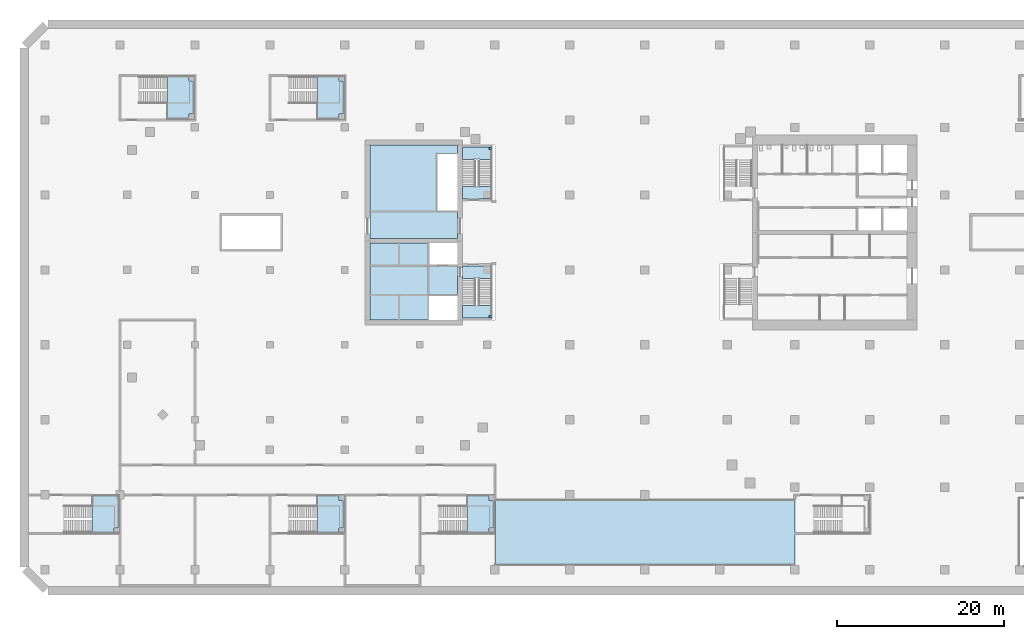
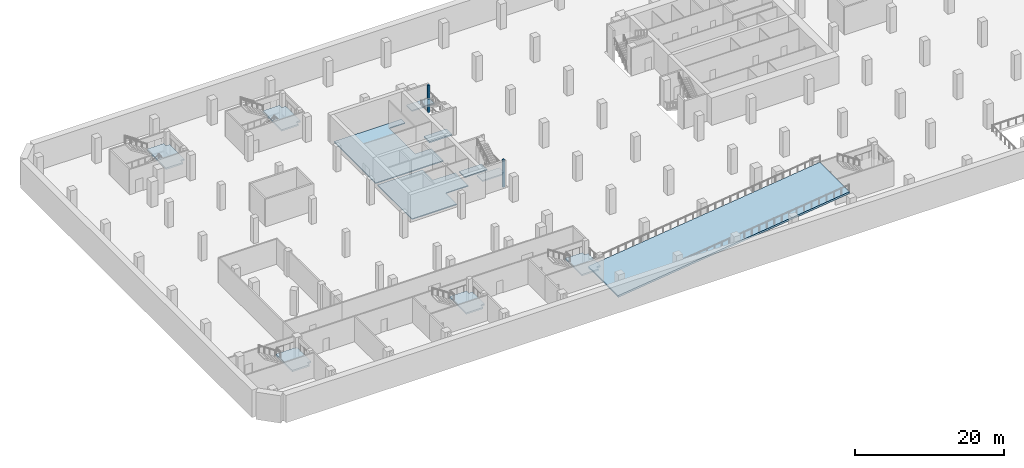
# One storey, part 2 of 16: 12 slabs, 2 members, 7 elements without a shape of their own.
"""IFC4 building model written with IfcOpenShell, lengths in metres."""

from ifc_helpers import new_model, si_unit, direction, frame, origin, origin_2d, place, context, subcontext, project, spatial, polyline, rectangle, outline, extrude, material, layer, layer_set, material_profile, profile_set, type_object, element, aggregate, save


model = new_model("IFC4")

# Units and contexts
model_context = context("Model", 3, precision=1e-05, world=origin(), true_north=direction((0.0, 1.0)))
body_context = subcontext(model_context, "Body", "Model", "MODEL_VIEW")
ifc_project = project(units=[si_unit("LENGTHUNIT", "METRE"), si_unit("AREAUNIT", "SQUARE_METRE"), si_unit("VOLUMEUNIT", "CUBIC_METRE"), si_unit("PLANEANGLEUNIT", "RADIAN"), si_unit("MASSUNIT", "GRAM", prefix="KILO")], contexts=[model_context])

# Site, building, storey
site_placement = place(None, origin())
site = spatial("IfcSite", under=ifc_project, at=site_placement, CompositionType="ELEMENT")
building_placement = place(site_placement, origin())
building = spatial("IfcBuilding", under=site, at=building_placement, Name="Cinnabar Reach Civic Tower", CompositionType="ELEMENT")
storey_placement = place(building_placement, frame((0.0, 0.0, -9.5)))
storey = spatial("IfcBuildingStorey", under=building, at=storey_placement, Name="B2", CompositionType="ELEMENT", Elevation=-9.5)

# Members
ifc_material_1 = material(Name="Concrete C40", Category="concrete")
ifc_material_profile = material_profile(ifc_material_1, rectangle(XDim=0.3, YDim=0.3, at=origin_2d()), Name="C300")
ifc_profile_set = profile_set([ifc_material_profile], Name="Concrete C40")
member_type = type_object("IfcMemberType", Name="T2 stair post 300", PredefinedType="STRUT", material=ifc_profile_set)
for number, where, z_axis, x_axis, name in (
    (1, (-27.55, 21.4, 0.0), (0.0, 0.0, 1.0), (1.0, 0.0, 0.0), "Stair post 1"),
    (2, (-27.55, 41.6, 0.0), (0.0, 0.0, 1.0), (1.0, 0.0, 0.0), "Stair post 2"),
):
    element("IfcMember", number, at=place(storey_placement, frame(where, z_axis=z_axis, x_axis=x_axis)), inside=storey, type_object=member_type, Name=name, PredefinedType="STRUT", context=body_context, shape_type="SweptSolid", body=[
        extrude(rectangle(XDim=0.3, YDim=0.3, at=origin_2d()), origin(), (0.0, 0.0, 1.0), 4.5),
    ])

# Stair, slab
ifc_material_2 = material(Name="Concrete C35", Category="concrete")
stair_type_1 = type_object("IfcStairType", Name="Podium exit stair 1500", PredefinedType="HALF_TURN_STAIR", material=ifc_material_2)
stair_1_placement = place(storey_placement, origin())
stair_1 = element("IfcStair", 3, at=stair_1_placement, inside=storey, type_object=stair_type_1, Name="Stair PS1", PredefinedType="HALF_TURN_STAIR")
ifc_material_3 = material(Name="Concrete C35/45", Category="concrete")
ifc_layer_1 = layer(ifc_material_3, 0.25)
ifc_layer_set_1 = layer_set([ifc_layer_1], Name="Podium exit stair landing 250")
slab_type_1 = type_object("IfcSlabType", Name="Podium exit stair landing 250", PredefinedType="LANDING", material=ifc_layer_set_1)
slab_1_placement = place(storey_placement, frame((0.0, 0.0, 2.0)))
slab_1 = element("IfcSlab", 4, at=slab_1_placement, type_object=slab_type_1, Name="PS1 landing 1", PredefinedType="LANDING", context=body_context, shape_type="SweptSolid", body=[
    extrude(outline(polyline([(-75.33, -4.55), (-75.33, -0.1), (-72.1, -0.1), (-72.1, -3.95), (-72.7, -3.95), (-72.7, -4.55), (-75.33, -4.55)])), origin(), (0.0, 0.0, 1.0), 0.25),
])
aggregate(stair_1, [slab_1])

stair_2_placement = place(storey_placement, origin())
stair_2 = element("IfcStair", 5, at=stair_2_placement, inside=storey, type_object=stair_type_1, Name="Stair PS2", PredefinedType="HALF_TURN_STAIR")
slab_2_placement = place(storey_placement, frame((0.0, 0.0, 2.0)))
slab_2 = element("IfcSlab", 6, at=slab_2_placement, type_object=slab_type_1, Name="PS2 landing 1", PredefinedType="LANDING", context=body_context, shape_type="SweptSolid", body=[
    extrude(outline(polyline([(-63.1, 45.7), (-63.7, 45.7), (-63.7, 45.1), (-66.33, 45.1), (-66.33, 50.25), (-63.7, 50.25), (-63.7, 49.65), (-63.1, 49.65), (-63.1, 45.7)])), origin(), (0.0, 0.0, 1.0), 0.25),
])
aggregate(stair_2, [slab_2])

stair_3_placement = place(storey_placement, origin())
stair_3 = element("IfcStair", 7, at=stair_3_placement, inside=storey, type_object=stair_type_1, Name="Stair PS7", PredefinedType="HALF_TURN_STAIR")
slab_3_placement = place(storey_placement, frame((0.0, 0.0, 2.0)))
slab_3 = element("IfcSlab", 8, at=slab_3_placement, type_object=slab_type_1, Name="PS7 landing 1", PredefinedType="LANDING", context=body_context, shape_type="SweptSolid", body=[
    extrude(outline(polyline([(-45.1, 45.7), (-45.7, 45.7), (-45.7, 45.1), (-48.33, 45.1), (-48.33, 50.25), (-45.7, 50.25), (-45.7, 49.65), (-45.1, 49.65), (-45.1, 45.7)])), origin(), (0.0, 0.0, 1.0), 0.25),
])
aggregate(stair_3, [slab_3])

stair_4_placement = place(storey_placement, origin())
stair_4 = element("IfcStair", 9, at=stair_4_placement, inside=storey, type_object=stair_type_1, Name="Stair PS8", PredefinedType="HALF_TURN_STAIR")
slab_4_placement = place(storey_placement, frame((0.0, 0.0, 2.0)))
slab_4 = element("IfcSlab", 10, at=slab_4_placement, type_object=slab_type_1, Name="PS8 landing 1", PredefinedType="LANDING", context=body_context, shape_type="SweptSolid", body=[
    extrude(outline(polyline([(-45.1, -3.95), (-45.7, -3.95), (-45.7, -4.55), (-48.33, -4.55), (-48.33, -0.1), (-45.7, -0.1), (-45.7, -0.7), (-45.1, -0.7), (-45.1, -3.95)])), origin(), (0.0, 0.0, 1.0), 0.25),
])
aggregate(stair_4, [slab_4])

stair_5_placement = place(storey_placement, origin())
stair_5 = element("IfcStair", 11, at=stair_5_placement, inside=storey, type_object=stair_type_1, Name="Stair PS9", PredefinedType="HALF_TURN_STAIR")
slab_5_placement = place(storey_placement, frame((0.0, 0.0, 2.0)))
slab_5 = element("IfcSlab", 12, at=slab_5_placement, type_object=slab_type_1, Name="PS9 landing 1", PredefinedType="LANDING", context=body_context, shape_type="SweptSolid", body=[
    extrude(outline(polyline([(-27.1, -3.95), (-27.7, -3.95), (-27.7, -4.55), (-30.33, -4.55), (-30.33, -0.1), (-27.7, -0.1), (-27.7, -0.7), (-27.1, -0.7), (-27.1, -3.95)])), origin(), (0.0, 0.0, 1.0), 0.25),
])
aggregate(stair_5, [slab_5])

# Slabs
ifc_layer_2 = layer(ifc_material_2, 0.3)
ifc_layer_set_2 = layer_set([ifc_layer_2], Name="Podium vehicle ramp slab 300 C35")
slab_type_2 = type_object("IfcSlabType", Name="Podium vehicle ramp slab 300 C35", PredefinedType="USERDEFINED", material=ifc_layer_set_2)
slab_6_placement = place(storey_placement, frame((-27.0, -8.5, 0.0), z_axis=(-0.124034734589, 0.0, 0.992277876714), x_axis=(0.0, 1.0, 0.0)))
element("IfcSlab", 13, at=slab_6_placement, inside=storey, type_object=slab_type_2, Name="Vehicle ramp R2 slab", ObjectType="RAMP SLAB", PredefinedType="USERDEFINED", context=body_context, shape_type="SweptSolid", body=[
    extrude(outline(polyline([(0.0, 0.0), (8.0, 0.0), (8.0, -36.28015986734348), (0.0, -36.28015986734348), (0.0, 0.0)])), origin(), (0.0, 0.0, -1.0), 0.3),
])
ifc_layer_3 = layer(ifc_material_1, 0.15)
ifc_layer_set_3 = layer_set([ifc_layer_3], Name="T2 Core floor slab 150")
slab_type_3 = type_object("IfcSlabType", Name="T2 Core floor slab 150", PredefinedType="FLOOR", material=ifc_layer_set_3)
slab_7_placement = place(storey_placement, frame((0.0, 0.0, -0.15)))
element("IfcSlab", 14, at=slab_7_placement, inside=storey, type_object=slab_type_3, Name="Core floor slab B2", PredefinedType="FLOOR", context=body_context, shape_type="SweptSolid", body=[
    extrude(outline(polyline([(-42.0, 42.0), (-31.5, 42.0), (-31.5, 41.0), (-34.0, 41.0), (-34.0, 34.0), (-31.5, 34.0), (-31.5, 30.75), (-42.0, 30.75), (-42.0, 42.0)])), origin(), (0.0, 0.0, 1.0), 0.15),
])
slab_8_placement = place(storey_placement, frame((0.0, 0.0, -0.15)))
element("IfcSlab", 15, at=slab_8_placement, inside=storey, type_object=slab_type_3, Name="Core floor slab B2", PredefinedType="FLOOR", context=body_context, shape_type="SweptSolid", body=[
    extrude(outline(polyline([(-35.0, 24.0), (-35.0, 21.0), (-42.0, 21.0), (-42.0, 30.25), (-35.0, 30.25), (-35.0, 27.5), (-31.5, 27.5), (-31.5, 24.0), (-35.0, 24.0)])), origin(), (0.0, 0.0, 1.0), 0.15),
])

# Stair, slabs
stair_type_2 = type_object("IfcStairType", Name="T2 Exit stair 1500", PredefinedType="HALF_TURN_STAIR", material=ifc_material_1)
stair_6_placement = place(storey_placement, origin())
stair_6 = element("IfcStair", 16, at=stair_6_placement, inside=storey, type_object=stair_type_2, Name="Exit stair 1", PredefinedType="HALF_TURN_STAIR")
ifc_layer_4 = layer(ifc_material_1, 0.2)
ifc_layer_set_4 = layer_set([ifc_layer_4], Name="T2 Stair landing 200")
slab_type_4 = type_object("IfcSlabType", Name="T2 Stair landing 200", PredefinedType="LANDING", material=ifc_layer_set_4)
slab_9_placement = place(storey_placement, frame((0.0, 0.0, -0.2)))
slab_9 = element("IfcSlab", 17, at=slab_9_placement, type_object=slab_type_4, Name="ST1 landing 1", PredefinedType="LANDING", context=body_context, shape_type="SweptSolid", body=[
    extrude(outline(polyline([(-30.9, 26.0), (-30.9, 27.5), (-27.4, 27.5), (-27.4, 26.0), (-30.9, 26.0)])), origin(), (0.0, 0.0, 1.0), 0.2),
])
slab_10_placement = place(storey_placement, frame((0.0, 0.0, 2.05)))
slab_10 = element("IfcSlab", 18, at=slab_10_placement, type_object=slab_type_4, Name="ST1 landing 2", PredefinedType="LANDING", context=body_context, shape_type="SweptSolid", body=[
    extrude(outline(polyline([(-30.9, 21.25), (-30.9, 22.75), (-27.4, 22.75), (-27.4, 21.55), (-27.7, 21.55), (-27.7, 21.25), (-30.9, 21.25)])), origin(), (0.0, 0.0, 1.0), 0.2),
])
aggregate(stair_6, [slab_9, slab_10])

stair_7_placement = place(storey_placement, origin())
stair_7 = element("IfcStair", 19, at=stair_7_placement, inside=storey, type_object=stair_type_2, Name="Exit stair 2", PredefinedType="HALF_TURN_STAIR")
slab_11_placement = place(storey_placement, frame((0.0, 0.0, -0.2)))
slab_11 = element("IfcSlab", 20, at=slab_11_placement, type_object=slab_type_4, Name="ST2 landing 1", PredefinedType="LANDING", context=body_context, shape_type="SweptSolid", body=[
    extrude(outline(polyline([(-30.9, 35.5), (-30.9, 37.0), (-27.4, 37.0), (-27.4, 35.5), (-30.9, 35.5)])), origin(), (0.0, 0.0, 1.0), 0.2),
])
slab_12_placement = place(storey_placement, frame((0.0, 0.0, 2.05)))
slab_12 = element("IfcSlab", 21, at=slab_12_placement, type_object=slab_type_4, Name="ST2 landing 2", PredefinedType="LANDING", context=body_context, shape_type="SweptSolid", body=[
    extrude(outline(polyline([(-27.4, 40.25), (-30.9, 40.25), (-30.9, 41.75), (-27.7, 41.75), (-27.7, 41.45), (-27.4, 41.45), (-27.4, 40.25)])), origin(), (0.0, 0.0, 1.0), 0.2),
])
aggregate(stair_7, [slab_11, slab_12])

save(model, "model.ifc")
